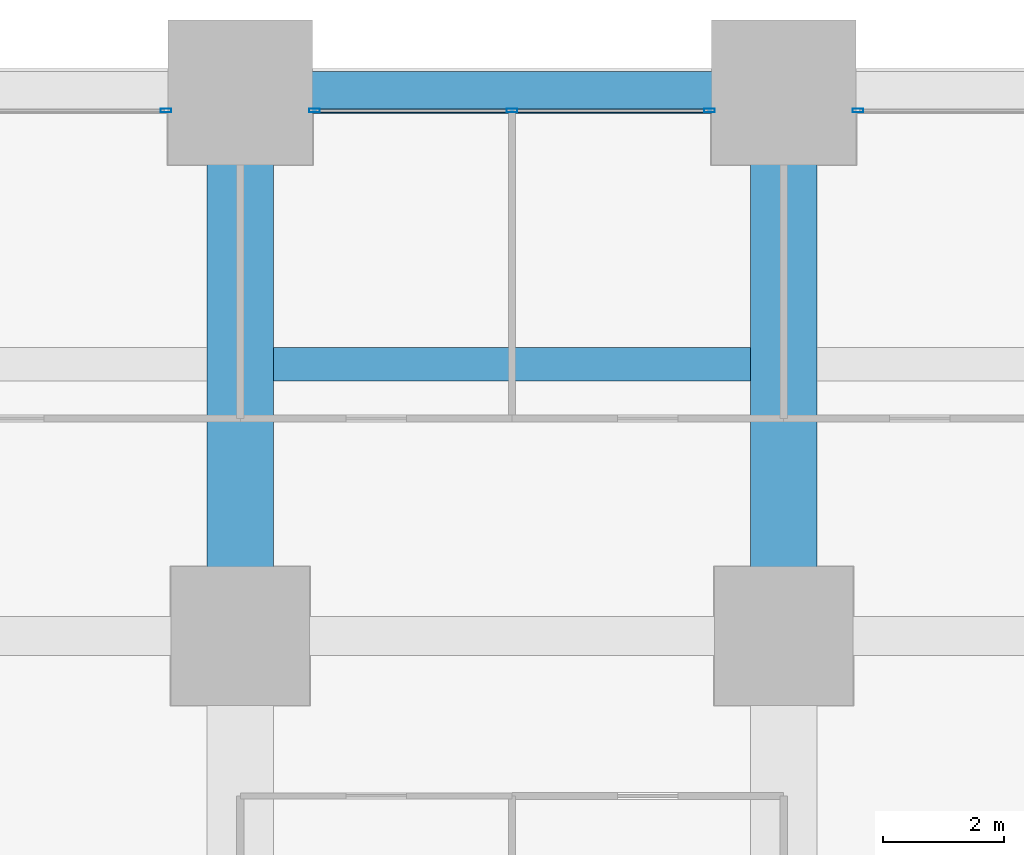
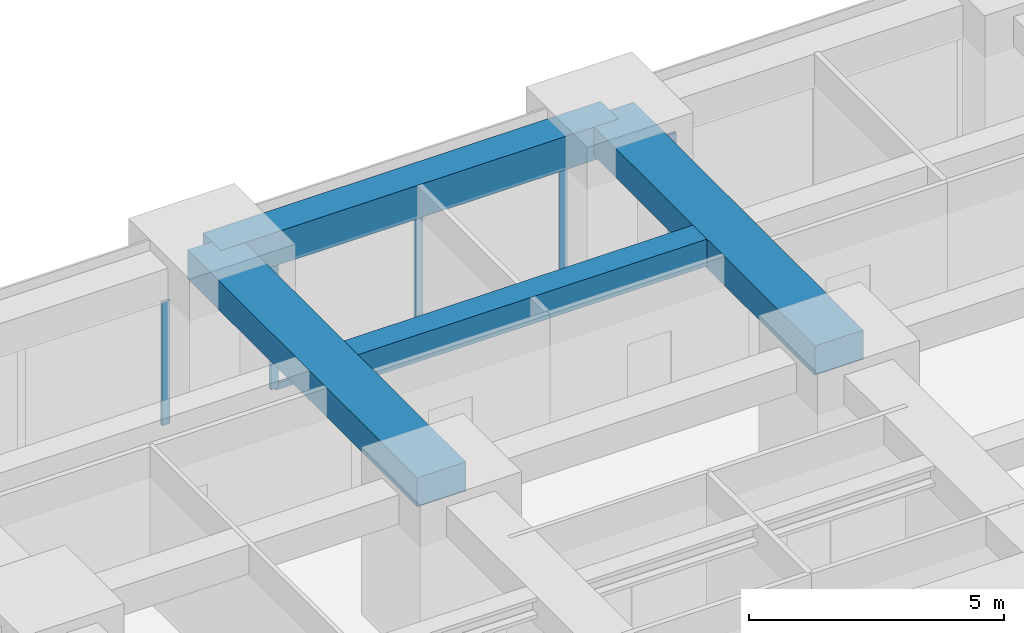
# One storey, part 35 of 45: 6 members, 4 beams, 3 elements without a shape of their own.
"""IFC4 building model written with IfcOpenShell, lengths in metres."""

from ifc_helpers import new_model, si_unit, direction, frame, origin, origin_2d, place, context, subcontext, project, spatial, rectangle, hollow_rectangle, extrude, material, material_profile, profile_set, type_object, element, aggregate, save


model = new_model("IFC4")

# Units and contexts
model_context = context("Model", 3, precision=1e-05, world=origin(), true_north=direction((0.0, 1.0)))
body_context = subcontext(model_context, "Body", "Model", "MODEL_VIEW")
ifc_project = project(units=[si_unit("LENGTHUNIT", "METRE"), si_unit("AREAUNIT", "SQUARE_METRE"), si_unit("VOLUMEUNIT", "CUBIC_METRE"), si_unit("PLANEANGLEUNIT", "RADIAN"), si_unit("MASSUNIT", "GRAM", prefix="KILO")], contexts=[model_context])

# Site, building, storey
site_placement = place(None, origin())
site = spatial("IfcSite", under=ifc_project, at=site_placement, CompositionType="ELEMENT")
building_placement = place(site_placement, origin())
building = spatial("IfcBuilding", under=site, at=building_placement, Name="Zorevar Civic Tower", CompositionType="ELEMENT")
storey_placement = place(building_placement, frame((0.0, 0.0, 39.800048828125)))
storey = spatial("IfcBuildingStorey", under=building, at=storey_placement, Name="L09", CompositionType="ELEMENT", Elevation=39.800048828125)

# Beams
ifc_material_1 = material(Name="Concrete C50/60", Category="concrete")
ifc_material_profile_1 = material_profile(ifc_material_1, rectangle(XDim=1.10009765625, YDim=0.699951171875, at=origin_2d()), Name="RC 1100x700")
ifc_profile_set_1 = profile_set([ifc_material_profile_1], Name="Concrete C50/60")
beam_type_1 = type_object("IfcBeamType", Name="Beam RC 1100x700", PredefinedType="BEAM", material=ifc_profile_set_1)
for number, where, z_axis, x_axis, name in (
    (1, (36.0, 45.0, 3.39990234375), (0.0, 1.0, 0.0), (-1.0, 0.0, 0.0), "Girder L10"),
    (2, (45.0, 45.0, 3.39990234375), (0.0, 1.0, 0.0), (-1.0, 0.0, 0.0), "Girder L10"),
):
    element("IfcBeam", number, at=place(storey_placement, frame(where, z_axis=z_axis, x_axis=x_axis)), inside=storey, type_object=beam_type_1, Name=name, PredefinedType="BEAM", context=body_context, shape_type="SweptSolid", body=[
        extrude(rectangle(XDim=1.10009765625, YDim=0.699951171875, at=origin_2d()), origin(), (0.0, 0.0, 1.0), 9.0),
    ])
ifc_material_2 = material(Name="Concrete C50/60", Category="concrete")
ifc_material_profile_2 = material_profile(ifc_material_2, rectangle(XDim=0.550048828125, YDim=0.64990234375, at=origin_2d()), Name="RC 550x650")
ifc_profile_set_2 = profile_set([ifc_material_profile_2], Name="Concrete C50/60")
beam_type_2 = type_object("IfcBeamType", Name="Beam RC 550x650", PredefinedType="BEAM", material=ifc_profile_set_2)
beam_1_placement = place(storey_placement, frame((36.550048828125, 49.5, 3.425048828125), z_axis=(1.0, 0.0, 0.0), x_axis=(0.0, 1.0, 0.0)))
element("IfcBeam", 3, at=beam_1_placement, inside=storey, type_object=beam_type_2, Name="Secondary beam L10", PredefinedType="BEAM", context=body_context, shape_type="SweptSolid", body=[
    extrude(rectangle(XDim=0.550048828125, YDim=0.64990234375, at=origin_2d()), origin(), (0.0, 0.0, 1.0), 7.89990234375),
])

# Curtain wall, member
ifc_material_3 = material(Name="Dark grey solar-control glass in black aluminium frame", Category="aluminium")
curtain_wall_type = type_object("IfcCurtainWallType", Name="Curtain wall CW2 low zone", PredefinedType="NOTDEFINED", material=ifc_material_3)
curtain_wall_1_placement = place(storey_placement, origin())
curtain_wall_1 = element("IfcCurtainWall", 4, at=curtain_wall_1_placement, inside=storey, type_object=curtain_wall_type, Name="CW2 L09", PredefinedType="NOTDEFINED")
ifc_material_4 = material(Name="Aluminium, black anodised", Category="aluminium")
ifc_material_profile_3 = material_profile(ifc_material_4, hollow_rectangle(XDim=0.06005859375, YDim=0.179931640625, WallThickness=0.00390625, at=origin_2d()), Name="AL 180x60x4")
ifc_profile_set_3 = profile_set([ifc_material_profile_3], Name="Aluminium, black anodised")
member_type_1 = type_object("IfcMemberType", Name="CW2 mullion AL 180x60x4", PredefinedType="MULLION", material=ifc_profile_set_3)
member_1_placement = place(storey_placement, frame((34.77001953125, 53.699951171875, 0.0), z_axis=(0.0, 0.0, 1.0), x_axis=(0.0, 1.0, 0.0)))
member_1 = element("IfcMember", 5, at=member_1_placement, type_object=member_type_1, Name="CW2 mullion 3", PredefinedType="MULLION", context=body_context, shape_type="SweptSolid", body=[
    extrude(hollow_rectangle(XDim=0.06005859375, YDim=0.179931640625, WallThickness=0.00390625, at=origin_2d()), origin(), (0.0, 0.0, 1.0), 2.949951171875),
])
aggregate(curtain_wall_1, [member_1])

# Curtain wall, members
curtain_wall_2_placement = place(storey_placement, origin())
curtain_wall_2 = element("IfcCurtainWall", 6, at=curtain_wall_2_placement, inside=storey, type_object=curtain_wall_type, Name="CW2 L09", PredefinedType="NOTDEFINED")
member_2_placement = place(storey_placement, frame((37.22998046875, 53.699951171875, 0.0), z_axis=(0.0, 0.0, 1.0), x_axis=(0.0, 1.0, 0.0)))
member_2 = element("IfcMember", 7, at=member_2_placement, type_object=member_type_1, Name="CW2 mullion 1", PredefinedType="MULLION", context=body_context, shape_type="SweptSolid", body=[
    extrude(hollow_rectangle(XDim=0.06005859375, YDim=0.179931640625, WallThickness=0.00390625, at=origin_2d()), origin(), (0.0, 0.0, 1.0), 2.949951171875),
])
member_3_placement = place(storey_placement, frame((40.5, 53.699951171875, 0.06005859375), z_axis=(0.0, 0.0, 1.0), x_axis=(0.0, 1.0, 0.0)))
member_3 = element("IfcMember", 8, at=member_3_placement, type_object=member_type_1, Name="CW2 mullion 2", PredefinedType="MULLION", context=body_context, shape_type="SweptSolid", body=[
    extrude(hollow_rectangle(XDim=0.06005859375, YDim=0.179931640625, WallThickness=0.00390625, at=origin_2d()), origin(), (0.0, 0.0, 1.0), 2.889892578125),
])
member_4_placement = place(storey_placement, frame((43.77001953125, 53.699951171875, 0.0), z_axis=(0.0, 0.0, 1.0), x_axis=(0.0, 1.0, 0.0)))
member_4 = element("IfcMember", 9, at=member_4_placement, type_object=member_type_1, Name="CW2 mullion 3", PredefinedType="MULLION", context=body_context, shape_type="SweptSolid", body=[
    extrude(hollow_rectangle(XDim=0.06005859375, YDim=0.179931640625, WallThickness=0.00390625, at=origin_2d()), origin(), (0.0, 0.0, 1.0), 2.949951171875),
])

# Curtain wall, member
curtain_wall_3_placement = place(storey_placement, origin())
curtain_wall_3 = element("IfcCurtainWall", 10, at=curtain_wall_3_placement, inside=storey, type_object=curtain_wall_type, Name="CW2 L09", PredefinedType="NOTDEFINED")
member_5_placement = place(storey_placement, frame((46.22998046875, 53.699951171875, 0.0), z_axis=(0.0, 0.0, 1.0), x_axis=(0.0, 1.0, 0.0)))
member_5 = element("IfcMember", 11, at=member_5_placement, type_object=member_type_1, Name="CW2 mullion 1", PredefinedType="MULLION", context=body_context, shape_type="SweptSolid", body=[
    extrude(hollow_rectangle(XDim=0.06005859375, YDim=0.179931640625, WallThickness=0.00390625, at=origin_2d()), origin(), (0.0, 0.0, 1.0), 2.949951171875),
])
aggregate(curtain_wall_3, [member_5])

# Member
ifc_material_5 = material(Name="Aluminium, black anodised", Category="aluminium")
ifc_material_profile_4 = material_profile(ifc_material_5, hollow_rectangle(XDim=0.06005859375, YDim=0.14990234375, WallThickness=0.00390625, at=origin_2d()), Name="AL 150x60x4")
ifc_profile_set_4 = profile_set([ifc_material_profile_4], Name="Aluminium, black anodised")
member_type_2 = type_object("IfcMemberType", Name="CW2 transom AL 150x60x4", PredefinedType="USERDEFINED", material=ifc_profile_set_4)
member_6_placement = place(storey_placement, frame((37.260009765625, 53.699951171875, 0.030029296875), z_axis=(1.0, 0.0, 0.0), x_axis=(0.0, 1.0, 0.0)))
member_6 = element("IfcMember", 12, at=member_6_placement, type_object=member_type_2, Name="CW2 sill transom", ObjectType="TRANSOM", PredefinedType="USERDEFINED", context=body_context, shape_type="SweptSolid", body=[
    extrude(hollow_rectangle(XDim=0.06005859375, YDim=0.14990234375, WallThickness=0.00390625, at=origin_2d()), origin(), (0.0, 0.0, 1.0), 6.47998046875),
])

aggregate(curtain_wall_2, [member_2, member_3, member_4, member_6])

# Beam
ifc_material_6 = material(Name="Concrete C50/60", Category="concrete")
ifc_material_profile_5 = material_profile(ifc_material_6, rectangle(XDim=0.699951171875, YDim=0.800048828125, at=origin_2d()), Name="RC 700x800")
ifc_profile_set_5 = profile_set([ifc_material_profile_5], Name="Concrete C50/60")
beam_type_3 = type_object("IfcBeamType", Name="Edge beam RC 700x800", PredefinedType="SPANDREL", material=ifc_profile_set_5)
beam_2_placement = place(storey_placement, frame((36.0, 54.0, 3.349853515625), z_axis=(1.0, 0.0, 0.0), x_axis=(0.0, 1.0, 0.0)))
element("IfcBeam", 13, at=beam_2_placement, inside=storey, type_object=beam_type_3, Name="Edge beam L10", PredefinedType="SPANDREL", context=body_context, shape_type="SweptSolid", body=[
    extrude(rectangle(XDim=0.699951171875, YDim=0.800048828125, at=origin_2d()), origin(), (0.0, 0.0, 1.0), 9.0),
])

save(model, "model.ifc")
